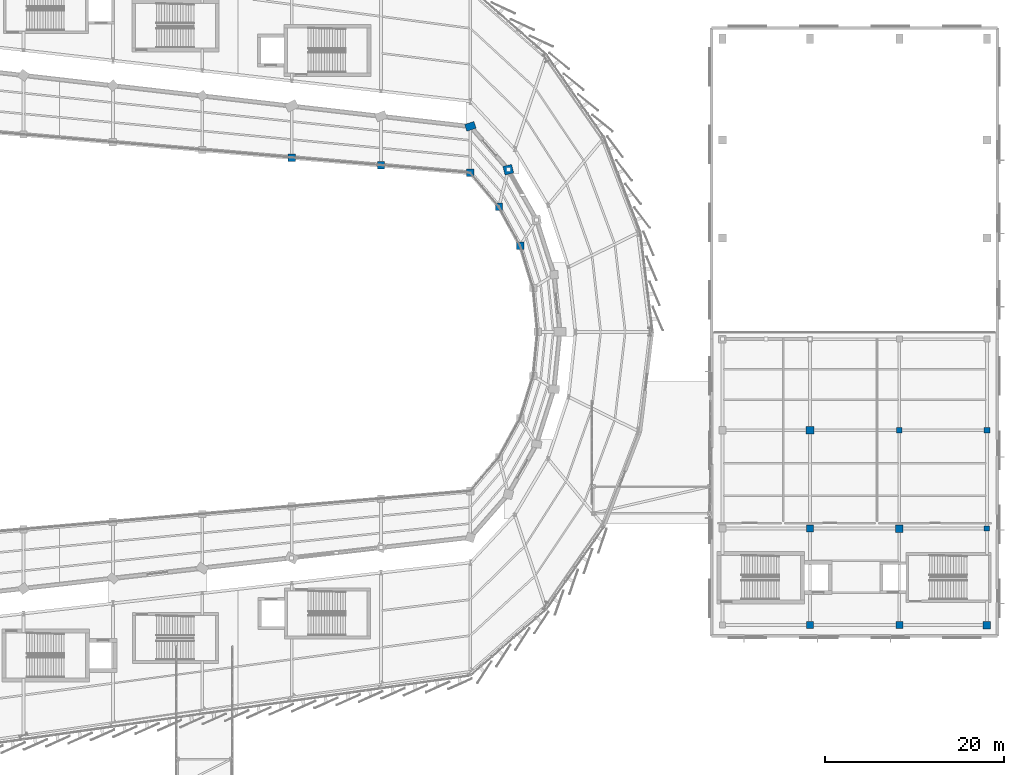
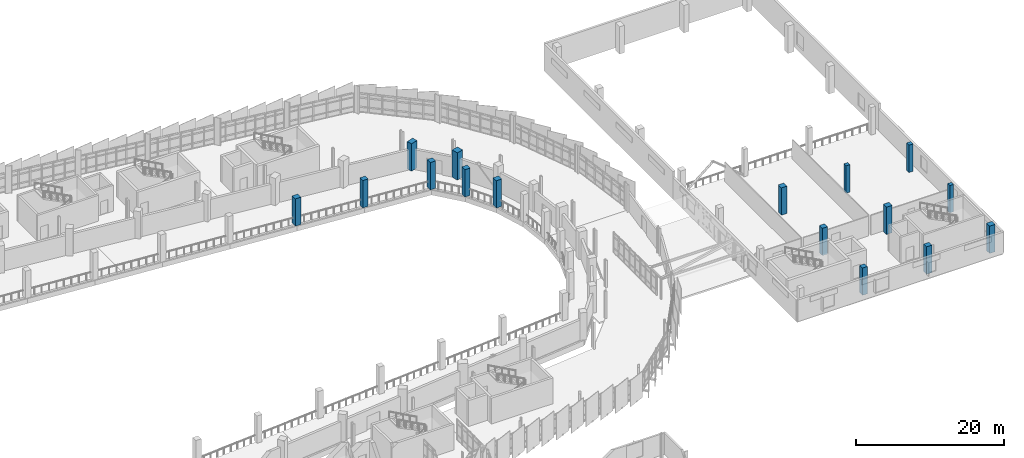
# One storey, part 21 of 125: 16 columns.
"""IFC4 building model written with IfcOpenShell, lengths in metres."""

from ifc_helpers import new_model, si_unit, direction, frame, origin, origin_2d, place, context, subcontext, project, spatial, rectangle, extrude, material, material_profile, profile_set, type_object, element, save


model = new_model("IFC4")

# Units and contexts
model_context = context("Model", 3, precision=1e-05, world=origin(), true_north=direction((0.0, 1.0)))
body_context = subcontext(model_context, "Body", "Model", "MODEL_VIEW")
ifc_project = project(units=[si_unit("LENGTHUNIT", "METRE"), si_unit("AREAUNIT", "SQUARE_METRE"), si_unit("VOLUMEUNIT", "CUBIC_METRE"), si_unit("PLANEANGLEUNIT", "RADIAN"), si_unit("MASSUNIT", "GRAM", prefix="KILO")], contexts=[model_context])

# Site, building, storey
site_placement = place(None, origin())
site = spatial("IfcSite", under=ifc_project, at=site_placement, CompositionType="ELEMENT")
building_placement = place(site_placement, origin())
building = spatial("IfcBuilding", under=site, at=building_placement, Name="Sohan Crest Arena", CompositionType="ELEMENT")
storey_placement = place(building_placement, frame((0.0, 0.0, 9.0)))
storey = spatial("IfcBuildingStorey", under=building, at=storey_placement, Name="L02", CompositionType="ELEMENT", Elevation=9.0)

# Columns
ifc_material = material(Name="Concrete C40/50", Category="concrete")
ifc_material_profile_1 = material_profile(ifc_material, rectangle(XDim=0.60009765625, YDim=0.60009765625, at=origin_2d()), Name="RC 600x600")
ifc_profile_set_1 = profile_set([ifc_material_profile_1], Name="Concrete C40/50")
column_type_1 = type_object("IfcColumnType", Name="STR-COL-C01", PredefinedType="COLUMN", material=ifc_profile_set_1)
for number, where, z_axis, x_axis, name in (
    (1, (216.0, 67.0, 0.0), (0.0, 0.0, 1.0), (1.0, 0.0, 0.0), "Structural column COL-V4S-33-L02"),
    (2, (225.800048828125, 56.0, 0.0), (0.0, 0.0, 1.0), (1.0, 0.0, 0.0), "Structural column COL-V4S-42-L02"),
):
    element("IfcColumn", number, at=place(storey_placement, frame(where, z_axis=z_axis, x_axis=x_axis)), inside=storey, type_object=column_type_1, Name=name, PredefinedType="COLUMN", context=body_context, shape_type="SweptSolid", body=[
        extrude(rectangle(XDim=0.60009765625, YDim=0.60009765625, at=origin_2d()), origin(), (0.0, 0.0, 1.0), 4.5),
    ])
ifc_material_profile_2 = material_profile(ifc_material, rectangle(XDim=0.64990234375, YDim=0.64990234375, at=origin_2d()), Name="RC 650x650")
ifc_profile_set_2 = profile_set([ifc_material_profile_2], Name="Concrete C40/50")
column_type_2 = type_object("IfcColumnType", Name="STR-COL-C02", PredefinedType="COLUMN", material=ifc_profile_set_2)
column_1_placement = place(storey_placement, frame((225.800048828125, 67.0, 0.0), z_axis=(0.0, 0.0, 1.0), x_axis=(1.0, 0.0, 0.0)))
element("IfcColumn", 3, at=column_1_placement, inside=storey, type_object=column_type_2, Name="Structural column COL-V4S-43-L02", PredefinedType="COLUMN", context=body_context, shape_type="SweptSolid", body=[
    extrude(rectangle(XDim=0.64990234375, YDim=0.64990234375, at=origin_2d()), origin(), (0.0, 0.0, 1.0), 4.5),
])
ifc_material_profile_3 = material_profile(ifc_material, rectangle(XDim=0.75, YDim=0.75, at=origin_2d()), Name="RC 750x750")
ifc_profile_set_3 = profile_set([ifc_material_profile_3], Name="Concrete C40/50")
column_type_3 = type_object("IfcColumnType", Name="STR-COL-C04", PredefinedType="COLUMN", material=ifc_profile_set_3)
column_2_placement = place(storey_placement, frame((206.0, 45.199951171875, 0.0), z_axis=(0.0, 0.0, 1.0), x_axis=(1.0, 0.0, 0.0)))
element("IfcColumn", 4, at=column_2_placement, inside=storey, type_object=column_type_3, Name="Structural column COL-V4S-21-L02", PredefinedType="COLUMN", context=body_context, shape_type="SweptSolid", body=[
    extrude(rectangle(XDim=0.75, YDim=0.75, at=origin_2d()), origin(), (0.0, 0.0, 1.0), 4.5),
])
ifc_material_profile_4 = material_profile(ifc_material, rectangle(XDim=0.800048828125, YDim=0.800048828125, at=origin_2d()), Name="RC 800x800")
ifc_profile_set_4 = profile_set([ifc_material_profile_4], Name="Concrete C40/50")
column_type_4 = type_object("IfcColumnType", Name="STR-COL-C05", PredefinedType="COLUMN", material=ifc_profile_set_4)
for number, where, z_axis, x_axis, name in (
    (5, (171.194091796875, 92.011962890625, 0.0), (0.0, 0.0, 1.0), (1.0, 0.0, 0.0), "Structural column COL-V1M-27-L02"),
    (6, (158.0, 96.656982421875, 0.0), (0.0, 0.0, 1.0), (1.0, 0.0, 0.0), "Structural column COL-V1M-29-L02"),
    (7, (206.0, 56.0, 0.0), (0.0, 0.0, 1.0), (1.0, 0.0, 0.0), "Structural column COL-V4S-22-L02"),
    (8, (216.0, 45.199951171875, 0.0), (0.0, 0.0, 1.0), (1.0, 0.0, 0.0), "Structural column COL-V4S-31-L02"),
):
    element("IfcColumn", number, at=place(storey_placement, frame(where, z_axis=z_axis, x_axis=x_axis)), inside=storey, type_object=column_type_4, Name=name, PredefinedType="COLUMN", context=body_context, shape_type="SweptSolid", body=[
        extrude(rectangle(XDim=0.800048828125, YDim=0.800048828125, at=origin_2d()), origin(), (0.0, 0.0, 1.0), 4.5),
    ])
ifc_material_profile_5 = material_profile(ifc_material, rectangle(XDim=0.85009765625, YDim=0.85009765625, at=origin_2d()), Name="RC 850x850")
ifc_profile_set_5 = profile_set([ifc_material_profile_5], Name="Concrete C40/50")
column_type_5 = type_object("IfcColumnType", Name="STR-COL-C06", PredefinedType="COLUMN", material=ifc_profile_set_5)
for number, where, z_axis, x_axis, name in (
    (9, (173.571044921875, 87.6640625, 0.0), (0.0, 0.0, 1.0), (1.0, 0.0, 0.0), "Structural column COL-V1M-26-L02"),
    (10, (168.0, 95.800048828125, 0.0), (0.0, 0.0, 1.0), (1.0, 0.0, 0.0), "Structural column COL-V1M-28-L02"),
    (11, (148.0, 97.513916015625, 0.0), (0.0, 0.0, 1.0), (1.0, 0.0, 0.0), "Structural column COL-V1M-30-L02"),
    (12, (206.0, 67.0, 0.0), (0.0, 0.0, 1.0), (1.0, 0.0, 0.0), "Structural column COL-V4S-23-L02"),
    (13, (216.0, 56.0, 0.0), (0.0, 0.0, 1.0), (1.0, 0.0, 0.0), "Structural column COL-V4S-32-L02"),
    (14, (225.800048828125, 45.199951171875, 0.0), (0.0, 0.0, 1.0), (1.0, 0.0, 0.0), "Structural column COL-V4S-41-L02"),
):
    element("IfcColumn", number, at=place(storey_placement, frame(where, z_axis=z_axis, x_axis=x_axis)), inside=storey, type_object=column_type_5, Name=name, PredefinedType="COLUMN", context=body_context, shape_type="SweptSolid", body=[
        extrude(rectangle(XDim=0.85009765625, YDim=0.85009765625, at=origin_2d()), origin(), (0.0, 0.0, 1.0), 4.5),
    ])
ifc_material_profile_6 = material_profile(ifc_material, rectangle(XDim=1.0, YDim=1.0, at=origin_2d()), Name="RC 1000x1000")
ifc_profile_set_6 = profile_set([ifc_material_profile_6], Name="Concrete C40/50")
column_type_6 = type_object("IfcColumnType", Name="STR-COL-C09", PredefinedType="COLUMN", material=ifc_profile_set_6)
column_3_placement = place(storey_placement, frame((172.242919921875, 96.154052734375, 0.0), z_axis=(0.0, 0.0, 1.0), x_axis=(0.971549119998, 0.236838146066, 0.0)))
element("IfcColumn", 15, at=column_3_placement, inside=storey, type_object=column_type_6, Name="Structural column COL-V1R-27-L02", PredefinedType="COLUMN", context=body_context, shape_type="SweptSolid", body=[
    extrude(rectangle(XDim=1.0, YDim=1.0, at=origin_2d()), origin(), (0.0, 0.0, 1.0), 4.5),
])
ifc_material_profile_7 = material_profile(ifc_material, rectangle(XDim=1.10009765625, YDim=0.800048828125, at=origin_2d()), Name="RC 1100x800")
ifc_profile_set_7 = profile_set([ifc_material_profile_7], Name="Concrete C40/50")
column_type_7 = type_object("IfcColumnType", Name="STR-COL-C10", PredefinedType="COLUMN", material=ifc_profile_set_7)
column_4_placement = place(storey_placement, frame((168.0, 101.0, 0.0), z_axis=(0.0, 0.0, 1.0), x_axis=(0.949972051525, 0.312334918512, 0.0)))
element("IfcColumn", 16, at=column_4_placement, inside=storey, type_object=column_type_7, Name="Structural column COL-V1R-28-L02", PredefinedType="COLUMN", context=body_context, shape_type="SweptSolid", body=[
    extrude(rectangle(XDim=1.10009765625, YDim=0.800048828125, at=origin_2d()), origin(), (0.0, 0.0, 1.0), 4.5),
])

save(model, "model.ifc")
